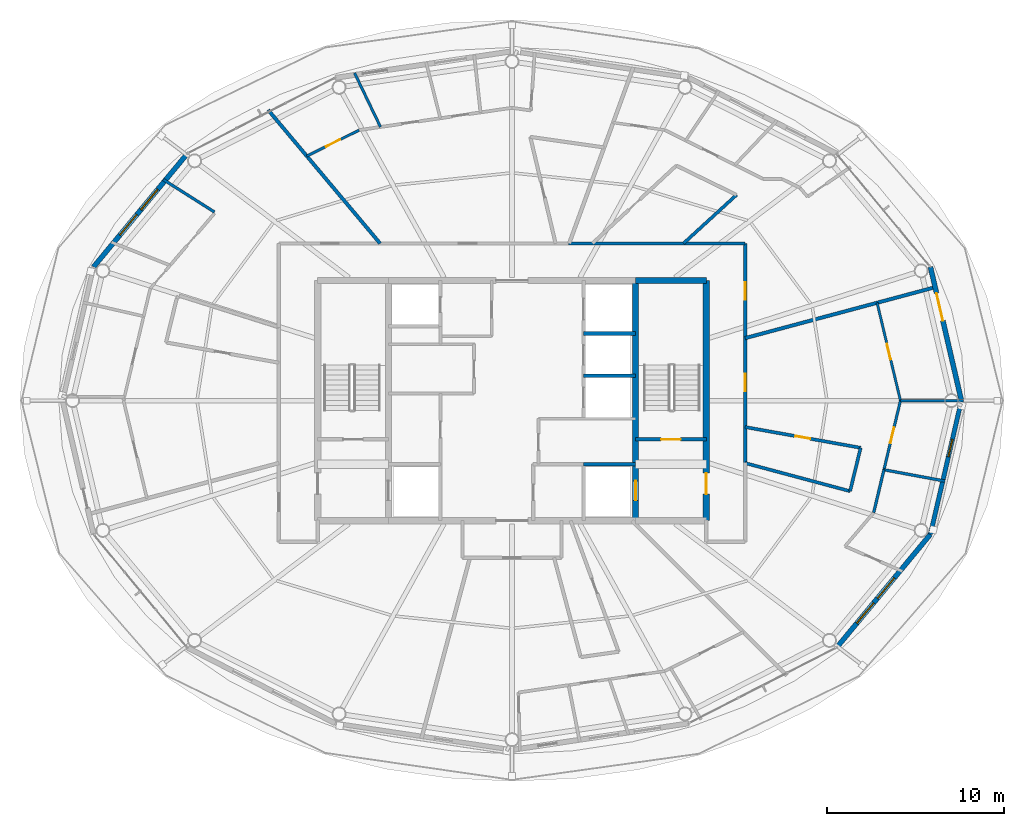
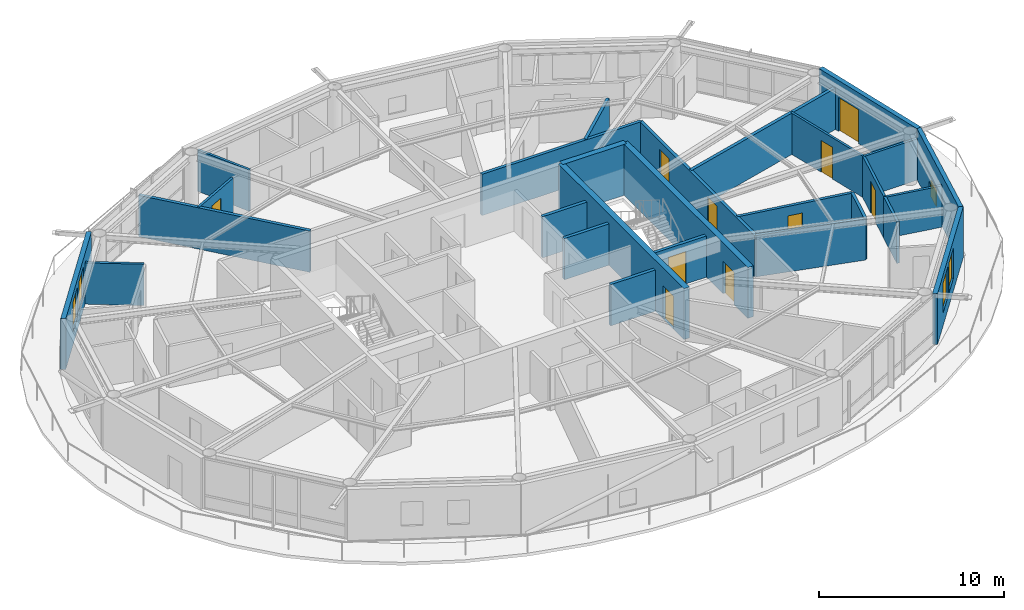
# One storey, part 18 of 23: 27 walls, 10 doors, 5 windows, 15 openings.
"""IFC4 building model written with IfcOpenShell, lengths in metres."""

from ifc_helpers import new_model, si_unit, direction, frame, frame_2d, origin, place, context, subcontext, project, spatial, rectangle, extrude, material, layer, layer_set, type_object, element, fill, save


model = new_model("IFC4")

# Units and contexts
model_context = context("Model", 3, precision=1e-05, world=origin(), true_north=direction((0.0, 1.0)))
body_context = subcontext(model_context, "Body", "Model", "MODEL_VIEW")
ifc_project = project(units=[si_unit("LENGTHUNIT", "METRE"), si_unit("AREAUNIT", "SQUARE_METRE"), si_unit("VOLUMEUNIT", "CUBIC_METRE"), si_unit("PLANEANGLEUNIT", "RADIAN"), si_unit("MASSUNIT", "GRAM", prefix="KILO")], contexts=[model_context])

# Site, building, storey
site_placement = place(None, origin())
site = spatial("IfcSite", under=ifc_project, at=site_placement, CompositionType="ELEMENT")
building_placement = place(site_placement, origin())
building = spatial("IfcBuilding", under=site, at=building_placement, Name="Sarneth Arch Tower", CompositionType="ELEMENT")
storey_placement = place(building_placement, frame((0.0, 0.0, 265.800048828125)))
storey = spatial("IfcBuildingStorey", under=building, at=storey_placement, Name="L68", CompositionType="ELEMENT", Elevation=265.800048828125)

# Wall
ifc_material_1 = material(Name="Concrete C50/60", Category="concrete")
ifc_layer_1 = layer(ifc_material_1, 0.35009765625)
ifc_layer_set_1 = layer_set([ifc_layer_1], Name="Concrete C50/60")
wall_type_1 = type_object("IfcWallType", Name="WALL-CORE-350", PredefinedType="SHEAR", material=ifc_layer_set_1)
wall_1_placement = place(storey_placement, frame((55.0, 48.800048828125, 0.0), z_axis=(0.0, 0.0, 1.0), x_axis=(1.0, 0.0, 0.0)))
element("IfcWall", 1, at=wall_1_placement, inside=storey, type_object=wall_type_1, Name="L68 Core shear wall N-E", PredefinedType="SHEAR", context=body_context, shape_type="SweptSolid", body=[
    extrude(rectangle(XDim=4.0, YDim=0.35009765625, at=frame_2d((2.0, 0.0))), origin(), (0.0, 0.0, 1.0), 3.369873046875),
])

# Wall, opening, door
wall_2_placement = place(storey_placement, frame((59.0, 35.199951171875, 0.0), z_axis=(0.0, 0.0, 1.0), x_axis=(0.0, 1.0, 0.0)))
wall_2 = element("IfcWall", 2, at=wall_2_placement, inside=storey, type_object=wall_type_1, Name="L68 Core shear wall E", PredefinedType="SHEAR", context=body_context, shape_type="SweptSolid", body=[
    extrude(rectangle(XDim=13.60009765625, YDim=0.35009765625, at=frame_2d((6.800048828125, 0.0))), origin(), (0.0, 0.0, 1.0), 3.369873046875),
])
opening_1_placement = place(wall_2_placement, frame((1.5, 0.0, 0.0)))
opening_1 = element("IfcOpeningElement", 3, at=opening_1_placement, cuts=wall_2, Name="Opening FD-02", PredefinedType="OPENING", context=body_context, shape_type="SweptSolid", body=[
    extrude(rectangle(XDim=1.199951171875, YDim=2.14990234375, at=frame_2d((0.60009765625, 1.074951171875))), frame((0.0, 0.18505859375, 0.0), z_axis=(0.0, -1.0, 0.0), x_axis=(1.0, 0.0, 0.0)), (0.0, 0.0, 1.0), 0.3701171875),
])
ifc_material_2 = material(Name="Galvanised Steel S275 fire door set", Category="steel")
door_type_1 = type_object("IfcDoorType", Name="DR-FD90-1200", OperationType="SINGLE_SWING_LEFT", PredefinedType="DOOR", material=ifc_material_2)
door_1_placement = place(opening_1_placement, origin())
door_1 = element("IfcDoor", 4, at=door_1_placement, inside=storey, type_object=door_type_1, Name="L68 Firefighting lobby 2 exit door", OperationType="SINGLE_SWING_RIGHT", OverallHeight=2.14990234375, OverallWidth=1.199951171875, PredefinedType="DOOR", context=body_context, shape_type="SweptSolid", body=[
    extrude(rectangle(XDim=1.199951171875, YDim=2.14990234375, at=frame_2d((0.60009765625, 1.074951171875))), frame((0.0, 0.02490234375, 0.0), z_axis=(0.0, -1.0, 0.0), x_axis=(1.0, 0.0, 0.0)), (0.0, 0.0, 1.0), 0.050048828125),
])
fill(opening_1, door_1)

wall_3_placement = place(storey_placement, frame((55.0, 35.199951171875, 0.0), z_axis=(0.0, 0.0, 1.0), x_axis=(0.0, 1.0, 0.0)))
wall_3 = element("IfcWall", 5, at=wall_3_placement, inside=storey, type_object=wall_type_1, Name="L68 Core shear wall WEB-E", PredefinedType="SHEAR", context=body_context, shape_type="SweptSolid", body=[
    extrude(rectangle(XDim=13.60009765625, YDim=0.35009765625, at=frame_2d((6.800048828125, 0.0))), origin(), (0.0, 0.0, 1.0), 3.369873046875),
])
opening_2_placement = place(wall_3_placement, frame((1.14990234375, 0.0, 0.0)))
opening_2 = element("IfcOpeningElement", 6, at=opening_2_placement, cuts=wall_3, Name="Opening LD-1", PredefinedType="OPENING", context=body_context, shape_type="SweptSolid", body=[
    extrude(rectangle(XDim=1.10009765625, YDim=2.199951171875, at=frame_2d((0.550048828125, 1.10009765625))), frame((0.0, 0.18505859375, 0.0), z_axis=(0.0, -1.0, 0.0), x_axis=(1.0, 0.0, 0.0)), (0.0, 0.0, 1.0), 0.3701171875),
])
ifc_material_3 = material(Name="Brushed Stainless Steel 304 lift landing door", Category="steel")
door_type_2 = type_object("IfcDoorType", Name="DR-LIFT-SLIDE-1100", OperationType="SLIDING_TO_LEFT", PredefinedType="DOOR", material=ifc_material_3)
door_2_placement = place(opening_2_placement, origin())
door_2 = element("IfcDoor", 7, at=door_2_placement, inside=storey, type_object=door_type_2, Name="L68 Firefighting lift landing door FL-2", OperationType="SLIDING_TO_RIGHT", OverallHeight=2.199951171875, OverallWidth=1.10009765625, PredefinedType="DOOR", context=body_context, shape_type="SweptSolid", body=[
    extrude(rectangle(XDim=1.10009765625, YDim=2.199951171875, at=frame_2d((0.550048828125, 1.10009765625))), frame((0.0, 0.02490234375, 0.0), z_axis=(0.0, -1.0, 0.0), x_axis=(1.0, 0.0, 0.0)), (0.0, 0.0, 1.0), 0.050048828125),
])
fill(opening_2, door_2)

# Wall, openings, doors
ifc_material_4 = material(Name="Double steel-stud corridor fire wall", Category="steel")
ifc_layer_2 = layer(ifc_material_4, 0.18994140625)
ifc_layer_set_2 = layer_set([ifc_layer_2], Name="Double steel-stud corridor fire wall")
wall_type_2 = type_object("IfcWallType", Name="WALL-CORR-190", PredefinedType="PARTITIONING", material=ifc_layer_set_2)
wall_4_placement = place(storey_placement, frame((61.199951171875, 50.89990234375, 0.0), z_axis=(0.0, 0.0, 1.0), x_axis=(0.0, -1.0, 0.0)))
wall_4 = element("IfcWall", 8, at=wall_4_placement, inside=storey, type_object=wall_type_2, Name="L68 Interior partition W-L68-TP-003", PredefinedType="PARTITIONING", context=body_context, shape_type="SweptSolid", body=[
    extrude(rectangle(XDim=12.469970703125, YDim=0.18994140625, at=frame_2d((6.23486328125, 0.0))), origin(), (0.0, 0.0, 1.0), 2.72998046875),
])
opening_3_placement = place(wall_4_placement, frame((2.197998046875, 0.0, 0.0)))
opening_3 = element("IfcOpeningElement", 9, at=opening_3_placement, cuts=wall_4, Name="Opening FD-08", PredefinedType="OPENING", context=body_context, shape_type="SweptSolid", body=[
    extrude(rectangle(XDim=1.0, YDim=2.199951171875, at=frame_2d((0.5, 1.10009765625))), frame((0.0, 0.10498046875, 0.0), z_axis=(0.0, -1.0, 0.0), x_axis=(1.0, 0.0, 0.0)), (0.0, 0.0, 1.0), 0.2099609375),
])
opening_4_placement = place(wall_4_placement, frame((7.3798828125, 0.0, 0.0)))
opening_4 = element("IfcOpeningElement", 10, at=opening_4_placement, cuts=wall_4, Name="Opening FD-08", PredefinedType="OPENING", context=body_context, shape_type="SweptSolid", body=[
    extrude(rectangle(XDim=1.0, YDim=2.199951171875, at=frame_2d((0.5, 1.10009765625))), frame((0.0, 0.10498046875, 0.0), z_axis=(0.0, -1.0, 0.0), x_axis=(1.0, 0.0, 0.0)), (0.0, 0.0, 1.0), 0.2099609375),
])
ifc_material_5 = material(Name="Hardwood timber acoustic fire door", Category="wood")
door_type_3 = type_object("IfcDoorType", Name="DR-FD60-1000", OperationType="SINGLE_SWING_LEFT", PredefinedType="DOOR", material=ifc_material_5)
door_3_placement = place(opening_3_placement, origin())
door_3 = element("IfcDoor", 11, at=door_3_placement, inside=storey, type_object=door_type_3, Name="L68 Interior door DR-L68-U1-ENT", OperationType="SINGLE_SWING_LEFT", OverallHeight=2.199951171875, OverallWidth=1.0, PredefinedType="DOOR", context=body_context, shape_type="SweptSolid", body=[
    extrude(rectangle(XDim=1.0, YDim=2.199951171875, at=frame_2d((0.5, 1.10009765625))), frame((0.0, 0.02490234375, 0.0), z_axis=(0.0, -1.0, 0.0), x_axis=(1.0, 0.0, 0.0)), (0.0, 0.0, 1.0), 0.050048828125),
])
fill(opening_3, door_3)
door_4_placement = place(opening_4_placement, origin())
door_4 = element("IfcDoor", 12, at=door_4_placement, inside=storey, type_object=door_type_3, Name="L68 Interior door DR-L68-U6-ENT", OperationType="SINGLE_SWING_RIGHT", OverallHeight=2.199951171875, OverallWidth=1.0, PredefinedType="DOOR", context=body_context, shape_type="SweptSolid", body=[
    extrude(rectangle(XDim=1.0, YDim=2.199951171875, at=frame_2d((0.5, 1.10009765625))), frame((0.0, 0.02490234375, 0.0), z_axis=(0.0, -1.0, 0.0), x_axis=(1.0, 0.0, 0.0)), (0.0, 0.0, 1.0), 0.050048828125),
])
fill(opening_4, door_4)

# Wall
wall_5_placement = place(storey_placement, frame((51.205078125, 50.89990234375, 0.0), z_axis=(0.0, 0.0, 1.0), x_axis=(1.0, 0.0, 0.0)))
element("IfcWall", 13, at=wall_5_placement, inside=storey, type_object=wall_type_2, Name="L68 Interior partition W-L68-TP-004", PredefinedType="PARTITIONING", context=body_context, shape_type="SweptSolid", body=[
    extrude(rectangle(XDim=9.994873046875, YDim=0.18994140625, at=frame_2d((4.99755859375, 0.0))), origin(), (0.0, 0.0, 1.0), 2.72998046875),
])

# Wall, opening, window
ifc_material_6 = material(Name="Extruded terracotta rainscreen on Concrete C40/50 backing", Category="masonry")
ifc_layer_3 = layer(ifc_material_6, 0.25)
ifc_layer_set_3 = layer_set([ifc_layer_3], Name="Extruded terracotta rainscreen on Concrete C40/50 backing")
wall_type_3 = type_object("IfcWallType", Name="WALL-EXT-SPAND-250", PredefinedType="SOLIDWALL", material=ifc_layer_set_3)
wall_6_placement = place(storey_placement, frame((71.69384765625, 34.430419921875, 0.0), z_axis=(0.0, 0.0, 1.0), x_axis=(0.225635078214, 0.974211892495, 0.0)))
wall_6 = element("IfcWall", 14, at=wall_6_placement, inside=storey, type_object=wall_type_3, Name="L68 Terracotta perimeter wall 16", PredefinedType="SOLIDWALL", context=body_context, shape_type="SweptSolid", body=[
    extrude(rectangle(XDim=7.77001953125, YDim=0.25, at=frame_2d((3.885009765625, 0.0))), origin(), (0.0, 0.0, 1.0), 3.369873046875),
])
opening_5_placement = place(wall_6_placement, frame((4.5126953125, 0.0, 0.35009765625)))
opening_5 = element("IfcOpeningElement", 15, at=opening_5_placement, cuts=wall_6, Name="Opening W-14", PredefinedType="OPENING", context=body_context, shape_type="SweptSolid", body=[
    extrude(rectangle(XDim=1.0, YDim=1.050048828125, at=frame_2d((0.5, 0.52490234375))), frame((0.0, 0.135009765625, 0.0), z_axis=(0.0, -1.0, 0.0), x_axis=(1.0, 0.0, 0.0)), (0.0, 0.0, 1.0), 0.27001953125),
])
ifc_material_7 = material(Name="Thermally broken Aluminium 6063-T6 and low-e laminated IGU", Category="aluminium")
window_type_1 = type_object("IfcWindowType", Name="WIN-TWR-1000x1050", PartitioningType="SINGLE_PANEL", PredefinedType="WINDOW", material=ifc_material_7)
window_1_placement = place(opening_5_placement, origin())
window_1 = element("IfcWindow", 16, at=window_1_placement, inside=storey, type_object=window_type_1, Name="L68 Dwelling bedroom window 05", OverallHeight=1.050048828125, OverallWidth=1.0, PartitioningType="SINGLE_PANEL", PredefinedType="WINDOW", context=body_context, shape_type="SweptSolid", body=[
    extrude(rectangle(XDim=1.0, YDim=1.050048828125, at=frame_2d((0.5, 0.52490234375))), frame((0.0, 0.030029296875, 0.0), z_axis=(0.0, -1.0, 0.0), x_axis=(1.0, 0.0, 0.0)), (0.0, 0.0, 1.0), 0.06005859375),
])
fill(opening_5, window_1)

# Wall, opening, door
ifc_material_8 = material(Name="Extruded terracotta rainscreen on Concrete C40/50 backing", Category="masonry")
ifc_layer_4 = layer(ifc_material_8, 0.280029296875)
ifc_layer_set_4 = layer_set([ifc_layer_4], Name="Extruded terracotta rainscreen on Concrete C40/50 backing")
wall_type_4 = type_object("IfcWallType", Name="WALL-EXT-TERRA-280", PredefinedType="SOLIDWALL", material=ifc_layer_set_4)
wall_7_placement = place(storey_placement, frame((73.447021484375, 42.0, 0.0), z_axis=(0.0, 0.0, 1.0), x_axis=(-0.225635078214, 0.974211892495, 0.0)))
wall_7 = element("IfcWall", 17, at=wall_7_placement, inside=storey, type_object=wall_type_4, Name="L68 Terracotta perimeter wall 01", PredefinedType="SOLIDWALL", context=body_context, shape_type="SweptSolid", body=[
    extrude(rectangle(XDim=7.77001953125, YDim=0.280029296875, at=frame_2d((3.885009765625, 0.0))), origin(), (0.0, 0.0, 1.0), 3.369873046875),
])
opening_6_placement = place(wall_7_placement, frame((4.64208984375, 0.0, 0.0)))
opening_6 = element("IfcOpeningElement", 18, at=opening_6_placement, cuts=wall_7, Name="Opening BD-1", PredefinedType="OPENING", context=body_context, shape_type="SweptSolid", body=[
    extrude(rectangle(XDim=1.60009765625, YDim=2.25, at=frame_2d((0.800048828125, 1.125))), frame((0.0, 0.14990234375, 0.0), z_axis=(0.0, -1.0, 0.0), x_axis=(1.0, 0.0, 0.0)), (0.0, 0.0, 1.0), 0.300048828125),
])
ifc_material_9 = material(Name="Thermally broken Aluminium 6063-T6 and laminated safety glass", Category="aluminium")
door_type_4 = type_object("IfcDoorType", Name="DR-BALC-GLZ-1600", OperationType="DOUBLE_DOOR_SINGLE_SWING", PredefinedType="DOOR", material=ifc_material_9)
door_5_placement = place(opening_6_placement, origin())
door_5 = element("IfcDoor", 19, at=door_5_placement, inside=storey, type_object=door_type_4, Name="L68 Balcony glazed door 01", OperationType="DOUBLE_DOOR_SINGLE_SWING", OverallHeight=2.25, OverallWidth=1.60009765625, PredefinedType="DOOR", context=body_context, shape_type="SweptSolid", body=[
    extrude(rectangle(XDim=1.60009765625, YDim=2.25, at=frame_2d((0.800048828125, 1.125))), frame((0.0, 0.02490234375, 0.0), z_axis=(0.0, -1.0, 0.0), x_axis=(1.0, 0.0, 0.0)), (0.0, 0.0, 1.0), 0.050048828125),
])
fill(opening_6, door_5)

# Wall, openings, windows
wall_8_placement = place(storey_placement, frame((29.617431640625, 55.986572265625, 0.0), z_axis=(0.0, 0.0, 1.0), x_axis=(-0.63761509934, -0.770355103243, 0.0)))
wall_8 = element("IfcWall", 20, at=wall_8_placement, inside=storey, type_object=wall_type_4, Name="L68 Terracotta perimeter wall 07", PredefinedType="SOLIDWALL", context=body_context, shape_type="SweptSolid", body=[
    extrude(rectangle(XDim=8.329833984375, YDim=0.280029296875, at=frame_2d((4.1650390625, 0.0))), origin(), (0.0, 0.0, 1.0), 3.369873046875),
])
opening_7_placement = place(wall_8_placement, frame((2.62060546875, 0.0, 0.85009765625)))
opening_7 = element("IfcOpeningElement", 21, at=opening_7_placement, cuts=wall_8, Name="Opening W-06", PredefinedType="OPENING", context=body_context, shape_type="SweptSolid", body=[
    extrude(rectangle(XDim=1.5, YDim=2.0, at=frame_2d((0.75, 1.0))), frame((0.0, 0.14990234375, 0.0), z_axis=(0.0, -1.0, 0.0), x_axis=(1.0, 0.0, 0.0)), (0.0, 0.0, 1.0), 0.300048828125),
])
opening_8_placement = place(wall_8_placement, frame((4.488037109375, 0.0, 0.85009765625)))
opening_8 = element("IfcOpeningElement", 22, at=opening_8_placement, cuts=wall_8, Name="Opening W-06", PredefinedType="OPENING", context=body_context, shape_type="SweptSolid", body=[
    extrude(rectangle(XDim=1.5, YDim=2.0, at=frame_2d((0.75, 1.0))), frame((0.0, 0.14990234375, 0.0), z_axis=(0.0, -1.0, 0.0), x_axis=(1.0, 0.0, 0.0)), (0.0, 0.0, 1.0), 0.300048828125),
])
ifc_material_10 = material(Name="Thermally broken Aluminium 6063-T6 and low-e laminated IGU", Category="aluminium")
window_type_2 = type_object("IfcWindowType", Name="WIN-TWR-1500x2000", PartitioningType="SINGLE_PANEL", PredefinedType="WINDOW", material=ifc_material_10)
window_2_placement = place(opening_7_placement, origin())
window_2 = element("IfcWindow", 23, at=window_2_placement, inside=storey, type_object=window_type_2, Name="L68 Exterior window 07A", OverallHeight=2.0, OverallWidth=1.5, PartitioningType="SINGLE_PANEL", PredefinedType="WINDOW", context=body_context, shape_type="SweptSolid", body=[
    extrude(rectangle(XDim=1.5, YDim=2.0, at=frame_2d((0.75, 1.0))), frame((0.0, 0.030029296875, 0.0), z_axis=(0.0, -1.0, 0.0), x_axis=(1.0, 0.0, 0.0)), (0.0, 0.0, 1.0), 0.06005859375),
])
fill(opening_7, window_2)
window_3_placement = place(opening_8_placement, origin())
window_3 = element("IfcWindow", 24, at=window_3_placement, inside=storey, type_object=window_type_2, Name="L68 Exterior window 07B", OverallHeight=2.0, OverallWidth=1.5, PartitioningType="SINGLE_PANEL", PredefinedType="WINDOW", context=body_context, shape_type="SweptSolid", body=[
    extrude(rectangle(XDim=1.5, YDim=2.0, at=frame_2d((0.75, 1.0))), frame((0.0, 0.030029296875, 0.0), z_axis=(0.0, -1.0, 0.0), x_axis=(1.0, 0.0, 0.0)), (0.0, 0.0, 1.0), 0.06005859375),
])
fill(opening_8, window_3)

wall_9_placement = place(storey_placement, frame((66.382568359375, 28.013427734375, 0.0), z_axis=(0.0, 0.0, 1.0), x_axis=(0.63761509934, 0.770355103243, 0.0)))
wall_9 = element("IfcWall", 25, at=wall_9_placement, inside=storey, type_object=wall_type_4, Name="L68 Terracotta perimeter wall 15", PredefinedType="SOLIDWALL", context=body_context, shape_type="SweptSolid", body=[
    extrude(rectangle(XDim=8.329833984375, YDim=0.280029296875, at=frame_2d((4.1650390625, 0.0))), origin(), (0.0, 0.0, 1.0), 3.369873046875),
])
opening_9_placement = place(wall_9_placement, frame((1.78857421875, 0.0, 0.85009765625)))
opening_9 = element("IfcOpeningElement", 26, at=opening_9_placement, cuts=wall_9, Name="Opening W-06", PredefinedType="OPENING", context=body_context, shape_type="SweptSolid", body=[
    extrude(rectangle(XDim=1.5, YDim=2.0, at=frame_2d((0.75, 1.0))), frame((0.0, 0.14990234375, 0.0), z_axis=(0.0, -1.0, 0.0), x_axis=(1.0, 0.0, 0.0)), (0.0, 0.0, 1.0), 0.300048828125),
])
opening_10_placement = place(wall_9_placement, frame((3.62109375, 0.0, 0.85009765625)))
opening_10 = element("IfcOpeningElement", 27, at=opening_10_placement, cuts=wall_9, Name="Opening W-06", PredefinedType="OPENING", context=body_context, shape_type="SweptSolid", body=[
    extrude(rectangle(XDim=1.5, YDim=2.0, at=frame_2d((0.75, 1.0))), frame((0.0, 0.14990234375, 0.0), z_axis=(0.0, -1.0, 0.0), x_axis=(1.0, 0.0, 0.0)), (0.0, 0.0, 1.0), 0.300048828125),
])
window_4_placement = place(opening_9_placement, origin())
window_4 = element("IfcWindow", 28, at=window_4_placement, inside=storey, type_object=window_type_2, Name="L68 Exterior window 15A", OverallHeight=2.0, OverallWidth=1.5, PartitioningType="SINGLE_PANEL", PredefinedType="WINDOW", context=body_context, shape_type="SweptSolid", body=[
    extrude(rectangle(XDim=1.5, YDim=2.0, at=frame_2d((0.75, 1.0))), frame((0.0, 0.030029296875, 0.0), z_axis=(0.0, -1.0, 0.0), x_axis=(1.0, 0.0, 0.0)), (0.0, 0.0, 1.0), 0.06005859375),
])
fill(opening_9, window_4)
window_5_placement = place(opening_10_placement, origin())
window_5 = element("IfcWindow", 29, at=window_5_placement, inside=storey, type_object=window_type_2, Name="L68 Exterior window 15B", OverallHeight=2.0, OverallWidth=1.5, PartitioningType="SINGLE_PANEL", PredefinedType="WINDOW", context=body_context, shape_type="SweptSolid", body=[
    extrude(rectangle(XDim=1.5, YDim=2.0, at=frame_2d((0.75, 1.0))), frame((0.0, 0.030029296875, 0.0), z_axis=(0.0, -1.0, 0.0), x_axis=(1.0, 0.0, 0.0)), (0.0, 0.0, 1.0), 0.06005859375),
])
fill(opening_10, window_5)

# Wall, opening, door
ifc_material_11 = material(Name="Apartment internal stud partition", Category="gypsum")
ifc_layer_5 = layer(ifc_material_11, 0.139892578125)
ifc_layer_set_5 = layer_set([ifc_layer_5], Name="Apartment internal stud partition")
wall_type_5 = type_object("IfcWallType", Name="WALL-PART-140", PredefinedType="PARTITIONING", material=ifc_layer_set_5)
wall_10_placement = place(storey_placement, frame((68.67333984375, 47.539306640625, 0.0), z_axis=(0.0, 0.0, 1.0), x_axis=(0.232304342064, -0.972643147644, 0.0)))
wall_10 = element("IfcWall", 30, at=wall_10_placement, inside=storey, type_object=wall_type_5, Name="L68 Interior partition W-L68-TP-094", PredefinedType="PARTITIONING", context=body_context, shape_type="SweptSolid", body=[
    extrude(rectangle(XDim=5.695068359375, YDim=0.139892578125, at=frame_2d((2.84765625, 0.0))), origin(), (0.0, 0.0, 1.0), 2.72998046875),
])
opening_11_placement = place(wall_10_placement, frame((2.397705078125, 0.0, 0.0)))
opening_11 = element("IfcOpeningElement", 31, at=opening_11_placement, cuts=wall_10, Name="Opening ID-01", PredefinedType="OPENING", context=body_context, shape_type="SweptSolid", body=[
    extrude(rectangle(XDim=0.89990234375, YDim=2.10009765625, at=frame_2d((0.449951171875, 1.050048828125))), frame((0.0, 0.079833984375, 0.0), z_axis=(0.0, -1.0, 0.0), x_axis=(1.0, 0.0, 0.0)), (0.0, 0.0, 1.0), 0.159912109375),
])
ifc_material_12 = material(Name="Engineered hardwood flush door", Category="wood")
door_type_5 = type_object("IfcDoorType", Name="DR-INT-900", OperationType="SINGLE_SWING_LEFT", PredefinedType="DOOR", material=ifc_material_12)
door_6_placement = place(opening_11_placement, origin())
door_6 = element("IfcDoor", 32, at=door_6_placement, inside=storey, type_object=door_type_5, Name="L68 Interior door DR-L68-U6-BED2", OperationType="SINGLE_SWING_RIGHT", OverallHeight=2.10009765625, OverallWidth=0.89990234375, PredefinedType="DOOR", context=body_context, shape_type="SweptSolid", body=[
    extrude(rectangle(XDim=0.89990234375, YDim=2.10009765625, at=frame_2d((0.449951171875, 1.050048828125))), frame((0.0, 0.02490234375, 0.0), z_axis=(0.0, -1.0, 0.0), x_axis=(1.0, 0.0, 0.0)), (0.0, 0.0, 1.0), 0.050048828125),
])
fill(opening_11, door_6)

ifc_material_13 = material(Name="Acoustic gypsum stud partition", Category="gypsum")
ifc_layer_6 = layer(ifc_material_13, 0.14990234375)
ifc_layer_set_6 = layer_set([ifc_layer_6], Name="Acoustic gypsum stud partition")
wall_type_6 = type_object("IfcWallType", Name="WALL-PART-150", PredefinedType="PARTITIONING", material=ifc_layer_set_6)
wall_11_placement = place(storey_placement, frame((69.06103515625, 38.08447265625, 0.0), z_axis=(0.0, 0.0, 1.0), x_axis=(0.232333768072, 0.972636119118, 0.0)))
wall_11 = element("IfcWall", 33, at=wall_11_placement, inside=storey, type_object=wall_type_6, Name="L68 Interior partition W-L68-TP-093", PredefinedType="PARTITIONING", context=body_context, shape_type="SweptSolid", body=[
    extrude(rectangle(XDim=4.025634765625, YDim=0.14990234375, at=frame_2d((2.0126953125, 0.0))), origin(), (0.0, 0.0, 1.0), 2.72998046875),
])
opening_12_placement = place(wall_11_placement, frame((1.56298828125, 0.0, 0.0)))
opening_12 = element("IfcOpeningElement", 34, at=opening_12_placement, cuts=wall_11, Name="Opening ID-01", PredefinedType="OPENING", context=body_context, shape_type="SweptSolid", body=[
    extrude(rectangle(XDim=0.89990234375, YDim=2.10009765625, at=frame_2d((0.449951171875, 1.050048828125))), frame((0.0, 0.0849609375, 0.0), z_axis=(0.0, -1.0, 0.0), x_axis=(1.0, 0.0, 0.0)), (0.0, 0.0, 1.0), 0.169921875),
])
door_7_placement = place(opening_12_placement, origin())
door_7 = element("IfcDoor", 35, at=door_7_placement, inside=storey, type_object=door_type_5, Name="L68 Interior door DR-L68-U6-BED1", OperationType="SINGLE_SWING_LEFT", OverallHeight=2.10009765625, OverallWidth=0.89990234375, PredefinedType="DOOR", context=body_context, shape_type="SweptSolid", body=[
    extrude(rectangle(XDim=0.89990234375, YDim=2.10009765625, at=frame_2d((0.449951171875, 1.050048828125))), frame((0.0, 0.02490234375, 0.0), z_axis=(0.0, -1.0, 0.0), x_axis=(1.0, 0.0, 0.0)), (0.0, 0.0, 1.0), 0.050048828125),
])
fill(opening_12, door_7)

# Walls
wall_12_placement = place(storey_placement, frame((69.996337890625, 42.0, 0.0), z_axis=(0.0, 0.0, 1.0), x_axis=(1.0, 0.0, 0.0)))
element("IfcWall", 36, at=wall_12_placement, inside=storey, type_object=wall_type_6, Name="L68 Interior partition W-L68-TP-096", PredefinedType="PARTITIONING", context=body_context, shape_type="SweptSolid", body=[
    extrude(rectangle(XDim=3.570556640625, YDim=0.14990234375, at=frame_2d((1.78515625, 0.0))), origin(), (0.0, 0.0, 1.0), 2.72998046875),
])
wall_13_placement = place(storey_placement, frame((40.5537109375, 57.494140625, 0.0), z_axis=(0.0, 0.0, 1.0), x_axis=(-0.433125990105, 0.901333388206, 0.0)))
element("IfcWall", 37, at=wall_13_placement, inside=storey, type_object=wall_type_6, Name="L68 Interior partition W-L68-TP-054", PredefinedType="PARTITIONING", context=body_context, shape_type="SweptSolid", body=[
    extrude(rectangle(XDim=3.396240234375, YDim=0.14990234375, at=frame_2d((1.6982421875, 0.0))), origin(), (0.0, 0.0, 1.0), 2.72998046875),
])

# Wall, opening, door
wall_14_placement = place(storey_placement, frame((36.3818359375, 55.845947265625, 0.0), z_axis=(0.0, 0.0, 1.0), x_axis=(0.895604637563, 0.444850911177, 0.0)))
wall_14 = element("IfcWall", 38, at=wall_14_placement, inside=storey, type_object=wall_type_6, Name="L68 Interior partition W-L68-TP-049", PredefinedType="PARTITIONING", context=body_context, shape_type="SweptSolid", body=[
    extrude(rectangle(XDim=3.308837890625, YDim=0.14990234375, at=frame_2d((1.654296875, 0.0))), origin(), (0.0, 0.0, 1.0), 2.72998046875),
])
opening_13_placement = place(wall_14_placement, frame((1.204345703125, 0.0, 0.0)))
opening_13 = element("IfcOpeningElement", 39, at=opening_13_placement, cuts=wall_14, Name="Opening ID-01", PredefinedType="OPENING", context=body_context, shape_type="SweptSolid", body=[
    extrude(rectangle(XDim=0.89990234375, YDim=2.10009765625, at=frame_2d((0.449951171875, 1.050048828125))), frame((0.0, 0.0849609375, 0.0), z_axis=(0.0, -1.0, 0.0), x_axis=(1.0, 0.0, 0.0)), (0.0, 0.0, 1.0), 0.169921875),
])
door_8_placement = place(opening_13_placement, origin())
door_8 = element("IfcDoor", 40, at=door_8_placement, inside=storey, type_object=door_type_5, Name="L68 Interior door DR-L68-U2-BED3", OperationType="SINGLE_SWING_LEFT", OverallHeight=2.10009765625, OverallWidth=0.89990234375, PredefinedType="DOOR", context=body_context, shape_type="SweptSolid", body=[
    extrude(rectangle(XDim=0.89990234375, YDim=2.10009765625, at=frame_2d((0.449951171875, 1.050048828125))), frame((0.0, 0.02490234375, 0.0), z_axis=(0.0, -1.0, 0.0), x_axis=(1.0, 0.0, 0.0)), (0.0, 0.0, 1.0), 0.050048828125),
])
fill(opening_13, door_8)

# Walls
ifc_material_14 = material(Name="Kitchen wet service chase wall", Category="gypsum")
ifc_layer_7 = layer(ifc_material_14, 0.159912109375)
ifc_layer_set_7 = layer_set([ifc_layer_7], Name="Kitchen wet service chase wall")
wall_type_7 = type_object("IfcWallType", Name="WALL-PLUMB-160", PredefinedType="PLUMBINGWALL", material=ifc_layer_set_7)
wall_15_placement = place(storey_placement, frame((72.514404296875, 37.4423828125, 0.0), z_axis=(0.0, 0.0, 1.0), x_axis=(-0.983150389917, 0.182798552526, 0.0)))
element("IfcWall", 41, at=wall_15_placement, inside=storey, type_object=wall_type_7, Name="L68 Interior partition W-L68-TP-095", PredefinedType="PLUMBINGWALL", context=body_context, shape_type="SweptSolid", body=[
    extrude(rectangle(XDim=3.512451171875, YDim=0.159912109375, at=frame_2d((1.75634765625, 0.0))), origin(), (0.0, 0.0, 1.0), 2.72998046875),
])
wall_16_placement = place(storey_placement, frame((28.24853515625, 54.519287109375, 0.0), z_axis=(0.0, 0.0, 1.0), x_axis=(0.844643402302, -0.535329359318, 0.0)))
element("IfcWall", 42, at=wall_16_placement, inside=storey, type_object=wall_type_7, Name="L68 Interior partition W-L68-TP-058", PredefinedType="PLUMBINGWALL", context=body_context, shape_type="SweptSolid", body=[
    extrude(rectangle(XDim=3.43505859375, YDim=0.159912109375, at=frame_2d((1.717529296875, 0.0))), origin(), (0.0, 0.0, 1.0), 2.72998046875),
])
wall_17_placement = place(storey_placement, frame((68.48095703125, 35.655029296875, 0.0), z_axis=(0.0, 0.0, 1.0), x_axis=(0.232241557879, 0.972658140764, 0.0)))
element("IfcWall", 43, at=wall_17_placement, inside=storey, type_object=wall_type_7, Name="L68 Interior partition W-L68-TP-089", PredefinedType="PLUMBINGWALL", context=body_context, shape_type="SweptSolid", body=[
    extrude(rectangle(XDim=2.497802734375, YDim=0.159912109375, at=frame_2d((1.2490234375, 0.0))), origin(), (0.0, 0.0, 1.0), 2.72998046875),
])

# Wall, opening, door
ifc_material_15 = material(Name="Moisture-resistant plumbing chase wall", Category="gypsum")
ifc_layer_8 = layer(ifc_material_15, 0.179931640625)
ifc_layer_set_8 = layer_set([ifc_layer_8], Name="Moisture-resistant plumbing chase wall")
wall_type_8 = type_object("IfcWallType", Name="WALL-PLUMB-180", PredefinedType="PLUMBINGWALL", material=ifc_layer_set_8)
wall_18_placement = place(storey_placement, frame((61.199951171875, 40.502685546875, 0.0), z_axis=(0.0, 0.0, 1.0), x_axis=(0.984255481107, -0.176751656034, 0.0)))
wall_18 = element("IfcWall", 44, at=wall_18_placement, inside=storey, type_object=wall_type_8, Name="L68 Interior partition W-L68-TP-090", PredefinedType="PLUMBINGWALL", context=body_context, shape_type="SweptSolid", body=[
    extrude(rectangle(XDim=6.646728515625, YDim=0.179931640625, at=frame_2d((3.3232421875, 0.0))), origin(), (0.0, 0.0, 1.0), 2.72998046875),
])
opening_14_placement = place(wall_18_placement, frame((2.898193359375, 0.0, 0.0)))
opening_14 = element("IfcOpeningElement", 45, at=opening_14_placement, cuts=wall_18, Name="Opening ID-02", PredefinedType="OPENING", context=body_context, shape_type="SweptSolid", body=[
    extrude(rectangle(XDim=0.85009765625, YDim=2.10009765625, at=frame_2d((0.425048828125, 1.050048828125))), frame((0.0, 0.099853515625, 0.0), z_axis=(0.0, -1.0, 0.0), x_axis=(1.0, 0.0, 0.0)), (0.0, 0.0, 1.0), 0.199951171875),
])
ifc_material_16 = material(Name="Moisture-resistant bathroom timber door", Category="wood")
door_type_6 = type_object("IfcDoorType", Name="DR-INT-850", OperationType="SINGLE_SWING_RIGHT", PredefinedType="DOOR", material=ifc_material_16)
door_9_placement = place(opening_14_placement, origin())
door_9 = element("IfcDoor", 46, at=door_9_placement, inside=storey, type_object=door_type_6, Name="L68 Interior door DR-L68-U6-BATH", OperationType="SINGLE_SWING_RIGHT", OverallHeight=2.10009765625, OverallWidth=0.85009765625, PredefinedType="DOOR", context=body_context, shape_type="SweptSolid", body=[
    extrude(rectangle(XDim=0.85009765625, YDim=2.10009765625, at=frame_2d((0.425048828125, 1.050048828125))), frame((0.0, 0.02490234375, 0.0), z_axis=(0.0, -1.0, 0.0), x_axis=(1.0, 0.0, 0.0)), (0.0, 0.0, 1.0), 0.050048828125),
])
fill(opening_14, door_9)

# Walls
wall_19_placement = place(storey_placement, frame((67.143798828125, 36.87060546875, 0.0), z_axis=(0.0, 0.0, 1.0), x_axis=(-0.965930696626, 0.258800868073, 0.0)))
element("IfcWall", 47, at=wall_19_placement, inside=storey, type_object=wall_type_8, Name="L68 Interior partition W-L68-TP-092", PredefinedType="PLUMBINGWALL", context=body_context, shape_type="SweptSolid", body=[
    extrude(rectangle(XDim=6.153564453125, YDim=0.179931640625, at=frame_2d((3.07666015625, 0.0))), origin(), (0.0, 0.0, 1.0), 2.72998046875),
])
wall_20_placement = place(storey_placement, frame((60.711181640625, 53.647705078125, 0.0), z_axis=(0.0, 0.0, 1.0), x_axis=(-0.737258783223, -0.675610454745, 0.0)))
element("IfcWall", 48, at=wall_20_placement, inside=storey, type_object=wall_type_8, Name="L68 Interior partition W-L68-TP-031", PredefinedType="PLUMBINGWALL", context=body_context, shape_type="SweptSolid", body=[
    extrude(rectangle(XDim=4.067138671875, YDim=0.179931640625, at=frame_2d((2.03369140625, 0.0))), origin(), (0.0, 0.0, 1.0), 2.72998046875),
])
wall_21_placement = place(storey_placement, frame((67.741943359375, 39.327880859375, 0.0), z_axis=(0.0, 0.0, 1.0), x_axis=(-0.236511691524, -0.971628642935, 0.0)))
element("IfcWall", 49, at=wall_21_placement, inside=storey, type_object=wall_type_8, Name="L68 Interior partition W-L68-TP-091", PredefinedType="PLUMBINGWALL", context=body_context, shape_type="SweptSolid", body=[
    extrude(rectangle(XDim=2.529052734375, YDim=0.179931640625, at=frame_2d((1.2646484375, 0.0))), origin(), (0.0, 0.0, 1.0), 2.72998046875),
])

# Wall, opening, door
ifc_material_17 = material(Name="Aerated concrete blockwork C25/30", Category="masonry")
ifc_layer_9 = layer(ifc_material_17, 0.199951171875)
ifc_layer_set_9 = layer_set([ifc_layer_9], Name="Aerated concrete blockwork C25/30")
wall_type_9 = type_object("IfcWallType", Name="WALL-SHAFT-200", PredefinedType="SOLIDWALL", material=ifc_layer_set_9)
wall_22_placement = place(storey_placement, frame((55.0, 39.800048828125, 0.0), z_axis=(0.0, 0.0, 1.0), x_axis=(1.0, 0.0, 0.0)))
wall_22 = element("IfcWall", 50, at=wall_22_placement, inside=storey, type_object=wall_type_9, Name="L68 Interior partition W-L68-ST2-S", PredefinedType="SOLIDWALL", context=body_context, shape_type="SweptSolid", body=[
    extrude(rectangle(XDim=4.0, YDim=0.199951171875, at=frame_2d((2.0, 0.0))), origin(), (0.0, 0.0, 1.0), 2.72998046875),
])
opening_15_placement = place(wall_22_placement, frame((1.449951171875, 0.0, 0.0)))
opening_15 = element("IfcOpeningElement", 51, at=opening_15_placement, cuts=wall_22, Name="Opening FD-03", PredefinedType="OPENING", context=body_context, shape_type="SweptSolid", body=[
    extrude(rectangle(XDim=1.10009765625, YDim=2.14990234375, at=frame_2d((0.550048828125, 1.074951171875))), frame((0.0, 0.10986328125, 0.0), z_axis=(0.0, -1.0, 0.0), x_axis=(1.0, 0.0, 0.0)), (0.0, 0.0, 1.0), 0.219970703125),
])
ifc_material_18 = material(Name="Galvanised Steel S275 fire door set", Category="steel")
door_type_7 = type_object("IfcDoorType", Name="DR-FD90-1100", OperationType="SINGLE_SWING_LEFT", PredefinedType="DOOR", material=ifc_material_18)
door_10_placement = place(opening_15_placement, origin())
door_10 = element("IfcDoor", 52, at=door_10_placement, inside=storey, type_object=door_type_7, Name="L68 Interior door DR-L68-ST2", OperationType="SINGLE_SWING_RIGHT", OverallHeight=2.14990234375, OverallWidth=1.10009765625, PredefinedType="DOOR", context=body_context, shape_type="SweptSolid", body=[
    extrude(rectangle(XDim=1.10009765625, YDim=2.14990234375, at=frame_2d((0.550048828125, 1.074951171875))), frame((0.0, 0.02490234375, 0.0), z_axis=(0.0, -1.0, 0.0), x_axis=(1.0, 0.0, 0.0)), (0.0, 0.0, 1.0), 0.050048828125),
])
fill(opening_15, door_10)

# Walls
for number, where, z_axis, x_axis, name in (
    (53, (52.050048828125, 38.39990234375, 0.0), (0.0, 0.0, 1.0), (1.0, 0.0, 0.0), "L68 Interior partition W-L68-FL2-N"),
    (54, (52.050048828125, 43.419921875, 0.0), (0.0, 0.0, 1.0), (1.0, 0.0, 0.0), "L68 Interior partition W-L68-EB-DIV-4342"),
    (55, (52.050048828125, 45.800048828125, 0.0), (0.0, 0.0, 1.0), (1.0, 0.0, 0.0), "L68 Interior partition W-L68-EB-DIV-4580"),
):
    element("IfcWall", number, at=place(storey_placement, frame(where, z_axis=z_axis, x_axis=x_axis)), inside=storey, type_object=wall_type_9, Name=name, PredefinedType="SOLIDWALL", context=body_context, shape_type="SweptSolid", body=[
        extrude(rectangle(XDim=2.949951171875, YDim=0.199951171875, at=frame_2d((1.47509765625, 0.0))), origin(), (0.0, 0.0, 1.0), 2.72998046875),
    ])
ifc_material_19 = material(Name="Double steel-stud acoustic drywall", Category="steel")
ifc_layer_10 = layer(ifc_material_19, 0.199951171875)
ifc_layer_set_10 = layer_set([ifc_layer_10], Name="Double steel-stud acoustic drywall")
wall_type_10 = type_object("IfcWallType", Name="WALL-UNIT-200", PredefinedType="PARTITIONING", material=ifc_layer_set_10)
wall_23_placement = place(storey_placement, frame((72.075927734375, 48.451171875, 0.0), z_axis=(0.0, 0.0, 1.0), x_axis=(-0.965923661364, -0.258827124578, 0.0)))
element("IfcWall", 56, at=wall_23_placement, inside=storey, type_object=wall_type_10, Name="L68 Interior partition W-L68-TP-037", PredefinedType="PARTITIONING", context=body_context, shape_type="SweptSolid", body=[
    extrude(rectangle(XDim=11.259765625, YDim=0.199951171875, at=frame_2d((5.6298828125, 0.0))), origin(), (0.0, 0.0, 1.0), 2.72998046875),
])
wall_24_placement = place(storey_placement, frame((40.531982421875, 50.89990234375, 0.0), z_axis=(0.0, 0.0, 1.0), x_axis=(-0.642777155779, 0.766053214868, 0.0)))
element("IfcWall", 57, at=wall_24_placement, inside=storey, type_object=wall_type_10, Name="L68 Interior partition W-L68-TP-051", PredefinedType="PARTITIONING", context=body_context, shape_type="SweptSolid", body=[
    extrude(rectangle(XDim=9.868408203125, YDim=0.199951171875, at=frame_2d((4.93408203125, 0.0))), origin(), (0.0, 0.0, 1.0), 2.72998046875),
])

save(model, "model.ifc")
